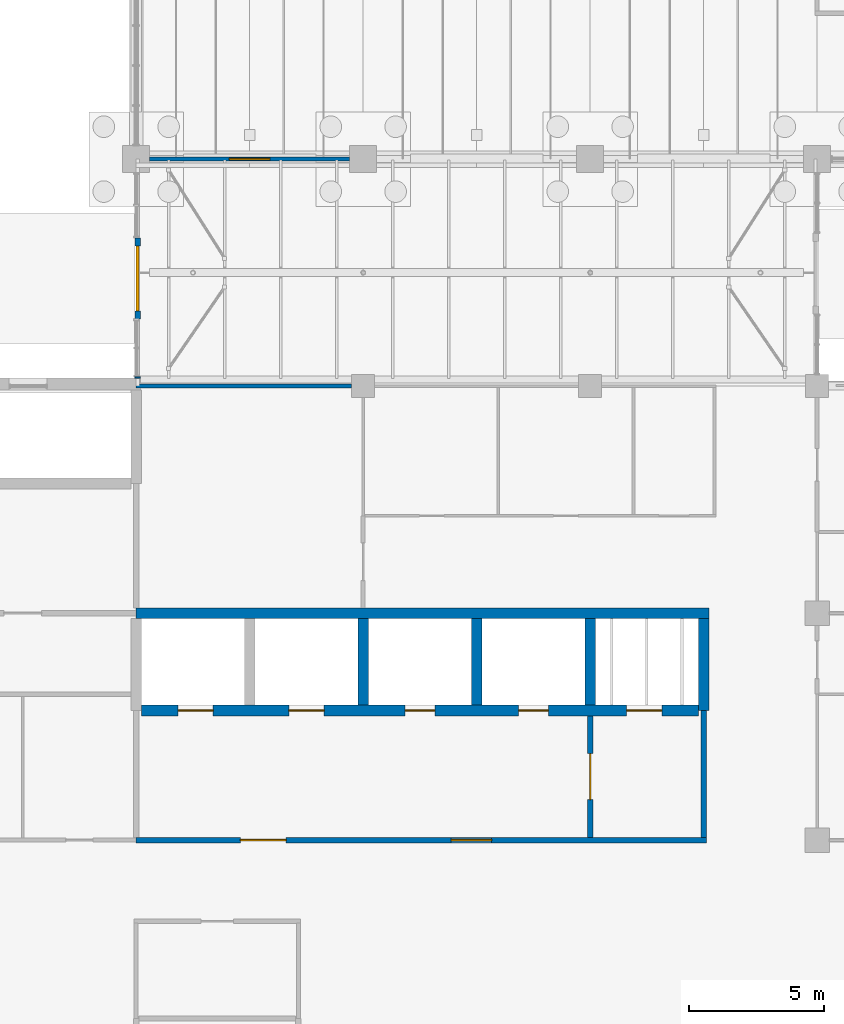
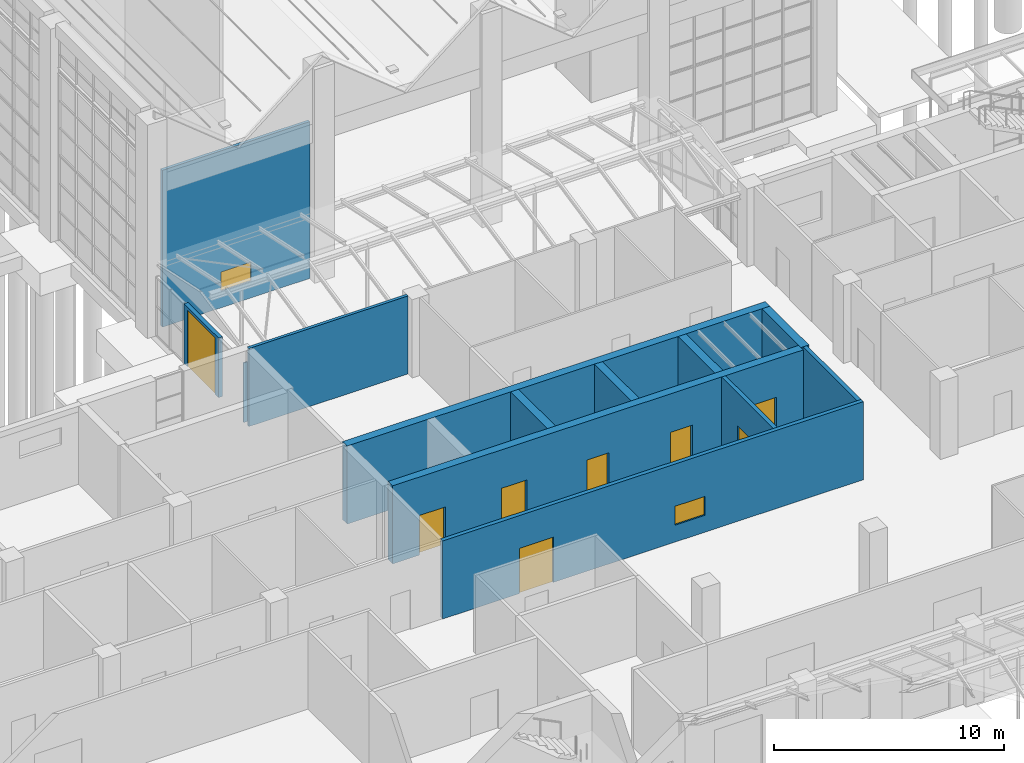
# One storey, part 100 of 138: 13 walls, 8 doors, 2 windows, 10 openings.
"""IFC4 building model written with IfcOpenShell, lengths in metres."""

from ifc_helpers import new_model, si_unit, direction, frame, frame_2d, origin, place, context, subcontext, project, spatial, rectangle, extrude, material, layer, layer_set, type_object, element, fill, save


model = new_model("IFC4")

# Units and contexts
model_context = context("Model", 3, precision=1e-05, world=origin(), true_north=direction((0.0, 1.0)))
body_context = subcontext(model_context, "Body", "Model", "MODEL_VIEW")
ifc_project = project(units=[si_unit("LENGTHUNIT", "METRE"), si_unit("AREAUNIT", "SQUARE_METRE"), si_unit("VOLUMEUNIT", "CUBIC_METRE"), si_unit("PLANEANGLEUNIT", "RADIAN"), si_unit("MASSUNIT", "GRAM", prefix="KILO")], contexts=[model_context])

# Site, building, storey
site_placement = place(None, origin())
site = spatial("IfcSite", under=ifc_project, at=site_placement, CompositionType="ELEMENT")
building_placement = place(site_placement, origin())
building = spatial("IfcBuilding", under=site, at=building_placement, Name="Yavir Park General Hospital", CompositionType="ELEMENT")
storey_placement = place(building_placement, origin())
storey = spatial("IfcBuildingStorey", under=building, at=storey_placement, Name="L00", CompositionType="ELEMENT", Elevation=0.0)

# Wall, openings, door, window
ifc_material_1 = material(Name="Double gypsum board fire partition on steel studs", Category="steel")
ifc_layer_1 = layer(ifc_material_1, 0.199951171875)
ifc_layer_set_1 = layer_set([ifc_layer_1], Name="Double gypsum board fire partition on steel studs")
wall_type_1 = type_object("IfcWallType", Name="Fire-rated partition 200, EI 60", PredefinedType="PARTITIONING", material=ifc_layer_set_1)
wall_1_placement = place(storey_placement, frame((75.60009765625, 16.800048828125, 0.0), z_axis=(0.0, 0.0, 1.0), x_axis=(1.0, 0.0, 0.0)))
wall_1 = element("IfcWall", 1, at=wall_1_placement, inside=storey, type_object=wall_type_1, Name="FP20 L00-041", PredefinedType="PARTITIONING", context=body_context, shape_type="SweptSolid", body=[
    extrude(rectangle(XDim=21.099853515625, YDim=0.199951171875, at=frame_2d((10.5498046875, 0.0))), origin(), (0.0, 0.0, 1.0), 4.139892578125),
])
opening_1_placement = place(wall_1_placement, frame((3.85009765625, 0.0, 0.0)))
opening_1 = element("IfcOpeningElement", 2, at=opening_1_placement, cuts=wall_1, Name="Opening L00.D037", PredefinedType="OPENING", context=body_context, shape_type="SweptSolid", body=[
    extrude(rectangle(XDim=1.699951171875, YDim=2.39990234375, at=frame_2d((0.85009765625, 1.199951171875))), frame((0.0, 0.10986328125, 0.0), z_axis=(0.0, -1.0, 0.0), x_axis=(1.0, 0.0, 0.0)), (0.0, 0.0, 1.0), 0.219970703125),
])
opening_2_placement = place(wall_1_placement, frame((11.64990234375, 0.0, 0.89990234375)))
opening_2 = element("IfcOpeningElement", 3, at=opening_2_placement, cuts=wall_1, Name="Opening L00.901", PredefinedType="OPENING", context=body_context, shape_type="SweptSolid", body=[
    extrude(rectangle(XDim=1.5, YDim=1.0, at=frame_2d((0.75, 0.5))), frame((0.0, 0.10986328125, 0.0), z_axis=(0.0, -1.0, 0.0), x_axis=(1.0, 0.0, 0.0)), (0.0, 0.0, 1.0), 0.219970703125),
])
ifc_material_2 = material(Name="Steel frame, fire-resisting timber leaves", Category="steel")
door_type_1 = type_object("IfcDoorType", Name="Double fire door 1700 x 2400, EI 60", OperationType="DOUBLE_DOOR_SINGLE_SWING", PredefinedType="DOOR", material=ifc_material_2)
door_1_placement = place(opening_1_placement, origin())
door_1 = element("IfcDoor", 4, at=door_1_placement, inside=storey, type_object=door_type_1, Name="L00.D037", OperationType="SINGLE_SWING_RIGHT", OverallHeight=2.39990234375, OverallWidth=1.699951171875, PredefinedType="DOOR", context=body_context, shape_type="SweptSolid", body=[
    extrude(rectangle(XDim=1.699951171875, YDim=2.39990234375, at=frame_2d((0.85009765625, 1.199951171875))), frame((0.0, 0.02490234375, 0.0), z_axis=(0.0, -1.0, 0.0), x_axis=(1.0, 0.0, 0.0)), (0.0, 0.0, 1.0), 0.050048828125),
])
fill(opening_1, door_1)
ifc_material_3 = material(Name="Toughened glass sliding panels, aluminium frame", Category="aluminium")
window_type = type_object("IfcWindowType", Name="Reception counter window 1500 x 1000", PartitioningType="DOUBLE_PANEL_HORIZONTAL", PredefinedType="WINDOW", material=ifc_material_3)
window_1_placement = place(opening_2_placement, origin())
window_1 = element("IfcWindow", 5, at=window_1_placement, inside=storey, type_object=window_type, Name="L00.901", OverallHeight=1.0, OverallWidth=1.5, PartitioningType="DOUBLE_PANEL_HORIZONTAL", PredefinedType="WINDOW", context=body_context, shape_type="SweptSolid", body=[
    extrude(rectangle(XDim=1.5, YDim=1.0, at=frame_2d((0.75, 0.5))), frame((0.0, 0.02490234375, 0.0), z_axis=(0.0, -1.0, 0.0), x_axis=(1.0, 0.0, 0.0)), (0.0, 0.0, 1.0), 0.050048828125),
])
fill(opening_2, window_1)

# Wall, opening, door
wall_2_placement = place(storey_placement, frame((92.39990234375, 16.89990234375, 0.0), z_axis=(0.0, 0.0, 1.0), x_axis=(0.0, 1.0, 0.0)))
wall_2 = element("IfcWall", 6, at=wall_2_placement, inside=storey, type_object=wall_type_1, Name="FP20 L00-410", PredefinedType="PARTITIONING", context=body_context, shape_type="SweptSolid", body=[
    extrude(rectangle(XDim=4.5, YDim=0.199951171875, at=frame_2d((2.25, 0.0))), origin(), (0.0, 0.0, 1.0), 4.139892578125),
])
opening_3_placement = place(wall_2_placement, frame((1.39990234375, 0.0, 0.0)))
opening_3 = element("IfcOpeningElement", 7, at=opening_3_placement, cuts=wall_2, Name="Opening L00.D203", PredefinedType="OPENING", context=body_context, shape_type="SweptSolid", body=[
    extrude(rectangle(XDim=1.699951171875, YDim=2.39990234375, at=frame_2d((0.85009765625, 1.199951171875))), frame((0.0, 0.10986328125, 0.0), z_axis=(0.0, -1.0, 0.0), x_axis=(1.0, 0.0, 0.0)), (0.0, 0.0, 1.0), 0.219970703125),
])
door_2_placement = place(opening_3_placement, origin())
door_2 = element("IfcDoor", 8, at=door_2_placement, inside=storey, type_object=door_type_1, Name="L00.D203", OperationType="SINGLE_SWING_LEFT", OverallHeight=2.39990234375, OverallWidth=1.699951171875, PredefinedType="DOOR", context=body_context, shape_type="SweptSolid", body=[
    extrude(rectangle(XDim=1.699951171875, YDim=2.39990234375, at=frame_2d((0.85009765625, 1.199951171875))), frame((0.0, 0.02490234375, 0.0), z_axis=(0.0, -1.0, 0.0), x_axis=(1.0, 0.0, 0.0)), (0.0, 0.0, 1.0), 0.050048828125),
])
fill(opening_3, door_2)

# Walls
wall_3_placement = place(storey_placement, frame((96.60009765625, 16.89990234375, 0.0), z_axis=(0.0, 0.0, 1.0), x_axis=(0.0, 1.0, 0.0)))
element("IfcWall", 9, at=wall_3_placement, inside=storey, type_object=wall_type_1, Name="FP20 L00-413", PredefinedType="PARTITIONING", context=body_context, shape_type="SweptSolid", body=[
    extrude(rectangle(XDim=4.7001953125, YDim=0.199951171875, at=frame_2d((2.35009765625, 0.0))), origin(), (0.0, 0.0, 1.0), 4.139892578125),
])
ifc_material_4 = material(Name="Aluminium glazing frame wall with insulated infill", Category="aluminium")
ifc_layer_2 = layer(ifc_material_4, 0.199951171875)
ifc_layer_set_2 = layer_set([ifc_layer_2], Name="Aluminium glazing frame wall with insulated infill")
wall_type_2 = type_object("IfcWallType", Name="Glazing frame wall 200, E 30", PredefinedType="SOLIDWALL", material=ifc_layer_set_2)
wall_4_placement = place(storey_placement, frame((75.64990234375, 33.89990234375, 0.0), z_axis=(0.0, 0.0, 1.0), x_axis=(0.0, 1.0, 0.0)))
element("IfcWall", 10, at=wall_4_placement, inside=storey, type_object=wall_type_2, Name="XW9 L00-151", PredefinedType="SOLIDWALL", context=body_context, shape_type="SweptSolid", body=[
    extrude(rectangle(XDim=0.050048828125, YDim=0.199951171875, at=frame_2d((0.02490234375, 0.0))), origin(), (0.0, 0.0, 1.0), 3.1640625),
])

# Wall, opening, door
wall_5_placement = place(storey_placement, frame((75.64990234375, 36.08740234375, 0.0), z_axis=(0.0, 0.0, 1.0), x_axis=(0.0, 1.0, 0.0)))
wall_5 = element("IfcWall", 11, at=wall_5_placement, inside=storey, type_object=wall_type_2, Name="XW9 L00-152", PredefinedType="SOLIDWALL", context=body_context, shape_type="SweptSolid", body=[
    extrude(rectangle(XDim=3.0, YDim=0.199951171875, at=frame_2d((1.5, 0.0))), origin(), (0.0, 0.0, 1.0), 3.1640625),
])
opening_4_placement = place(wall_5_placement, frame((0.300048828125, 0.0, 0.0)))
opening_4 = element("IfcOpeningElement", 12, at=opening_4_placement, cuts=wall_5, Name="Opening L00.X29", PredefinedType="OPENING", context=body_context, shape_type="SweptSolid", body=[
    extrude(rectangle(XDim=2.39990234375, YDim=3.0, at=frame_2d((1.199951171875, 1.5))), frame((0.0, 0.10986328125, 0.0), z_axis=(0.0, -1.0, 0.0), x_axis=(1.0, 0.0, 0.0)), (0.0, 0.0, 1.0), 0.219970703125),
])
ifc_material_5 = material(Name="Aluminium frame, toughened glass leaves", Category="aluminium")
door_type_2 = type_object("IfcDoorType", Name="Automatic entrance sliding door 2400 x 3000", OperationType="DOUBLE_DOOR_SLIDING", PredefinedType="DOOR", material=ifc_material_5)
door_3_placement = place(opening_4_placement, origin())
door_3 = element("IfcDoor", 13, at=door_3_placement, inside=storey, type_object=door_type_2, Name="L00.X29", OperationType="DOUBLE_DOOR_SLIDING", OverallHeight=3.0, OverallWidth=2.39990234375, PredefinedType="DOOR", context=body_context, shape_type="SweptSolid", body=[
    extrude(rectangle(XDim=2.39990234375, YDim=3.0, at=frame_2d((1.199951171875, 1.5))), frame((0.0, 0.06005859375, 0.0), z_axis=(0.0, -1.0, 0.0), x_axis=(1.0, 0.0, 0.0)), (0.0, 0.0, 1.0), 0.1201171875),
])
fill(opening_4, door_3)

# Wall
ifc_material_6 = material(Name="Gypsum board partition on steel studs", Category="steel")
ifc_layer_3 = layer(ifc_material_6, 0.14990234375)
ifc_layer_set_3 = layer_set([ifc_layer_3], Name="Gypsum board partition on steel studs")
wall_type_3 = type_object("IfcWallType", Name="Gypsum board partition 150", PredefinedType="PARTITIONING", material=ifc_layer_set_3)
wall_6_placement = place(storey_placement, frame((75.60009765625, 33.60009765625, 0.0), z_axis=(0.0, 0.0, 1.0), x_axis=(1.0, 0.0, 0.0)))
element("IfcWall", 14, at=wall_6_placement, inside=storey, type_object=wall_type_3, Name="P15 L00-089", PredefinedType="PARTITIONING", context=body_context, shape_type="SweptSolid", body=[
    extrude(rectangle(XDim=7.974853515625, YDim=0.14990234375, at=frame_2d((3.9873046875, 0.0))), origin(), (0.0, 0.0, 1.0), 4.139892578125),
])

# Wall, opening, window
wall_7_placement = place(storey_placement, frame((76.10009765625, 42.0, 0.0), z_axis=(0.0, 0.0, 1.0), x_axis=(1.0, 0.0, 0.0)))
wall_7 = element("IfcWall", 15, at=wall_7_placement, inside=storey, type_object=wall_type_3, Name="P15 L00-110", PredefinedType="PARTITIONING", context=body_context, shape_type="SweptSolid", body=[
    extrude(rectangle(XDim=7.39990234375, YDim=0.14990234375, at=frame_2d((3.699951171875, 0.0))), origin(), (0.0, 0.0, 1.0), 8.31689453125),
])
opening_5_placement = place(wall_7_placement, frame((2.949951171875, 0.0, 0.89990234375)))
opening_5 = element("IfcOpeningElement", 16, at=opening_5_placement, cuts=wall_7, Name="Opening L00.904", PredefinedType="OPENING", context=body_context, shape_type="SweptSolid", body=[
    extrude(rectangle(XDim=1.5, YDim=1.0, at=frame_2d((0.75, 0.5))), frame((0.0, 0.0849609375, 0.0), z_axis=(0.0, -1.0, 0.0), x_axis=(1.0, 0.0, 0.0)), (0.0, 0.0, 1.0), 0.169921875),
])
window_2_placement = place(opening_5_placement, origin())
window_2 = element("IfcWindow", 17, at=window_2_placement, inside=storey, type_object=window_type, Name="L00.904", OverallHeight=1.0, OverallWidth=1.5, PartitioningType="DOUBLE_PANEL_HORIZONTAL", PredefinedType="WINDOW", context=body_context, shape_type="SweptSolid", body=[
    extrude(rectangle(XDim=1.5, YDim=1.0, at=frame_2d((0.75, 0.5))), frame((0.0, 0.02490234375, 0.0), z_axis=(0.0, -1.0, 0.0), x_axis=(1.0, 0.0, 0.0)), (0.0, 0.0, 1.0), 0.050048828125),
])
fill(opening_5, window_2)

# Wall, openings, doors
ifc_material_7 = material(Name="Concrete C35/45", Category="concrete")
ifc_layer_4 = layer(ifc_material_7, 0.39990234375)
ifc_layer_set_4 = layer_set([ifc_layer_4], Name="Concrete C35/45")
wall_type_4 = type_object("IfcWallType", Name="Reinforced concrete core wall 400, REI 150", PredefinedType="SHEAR", material=ifc_layer_set_4)
wall_8_placement = place(storey_placement, frame((75.800048828125, 21.60009765625, 0.0), z_axis=(0.0, 0.0, 1.0), x_axis=(1.0, 0.0, 0.0)))
wall_8 = element("IfcWall", 18, at=wall_8_placement, inside=storey, type_object=wall_type_4, Name="CW40 L00-050", PredefinedType="SHEAR", context=body_context, shape_type="SweptSolid", body=[
    extrude(rectangle(XDim=20.599853515625, YDim=0.39990234375, at=frame_2d((10.2998046875, 0.0))), origin(), (0.0, 0.0, 1.0), 4.139892578125),
])
opening_6_placement = place(wall_8_placement, frame((1.35009765625, 0.0, 0.0)))
opening_6 = element("IfcOpeningElement", 19, at=opening_6_placement, cuts=wall_8, Name="Opening L00.D047", PredefinedType="OPENING", context=body_context, shape_type="SweptSolid", body=[
    extrude(rectangle(XDim=1.300048828125, YDim=2.10009765625, at=frame_2d((0.64990234375, 1.050048828125))), frame((0.0, 0.2099609375, 0.0), z_axis=(0.0, -1.0, 0.0), x_axis=(1.0, 0.0, 0.0)), (0.0, 0.0, 1.0), 0.419921875),
])
opening_7_placement = place(wall_8_placement, frame((5.449951171875, 0.0, 0.0)))
opening_7 = element("IfcOpeningElement", 20, at=opening_7_placement, cuts=wall_8, Name="Opening L00.D048", PredefinedType="OPENING", context=body_context, shape_type="SweptSolid", body=[
    extrude(rectangle(XDim=1.300048828125, YDim=2.10009765625, at=frame_2d((0.64990234375, 1.050048828125))), frame((0.0, 0.2099609375, 0.0), z_axis=(0.0, -1.0, 0.0), x_axis=(1.0, 0.0, 0.0)), (0.0, 0.0, 1.0), 0.419921875),
])
opening_8_placement = place(wall_8_placement, frame((9.75, 0.0, 0.0)))
opening_8 = element("IfcOpeningElement", 21, at=opening_8_placement, cuts=wall_8, Name="Opening L00.D049", PredefinedType="OPENING", context=body_context, shape_type="SweptSolid", body=[
    extrude(rectangle(XDim=1.10009765625, YDim=2.10009765625, at=frame_2d((0.550048828125, 1.050048828125))), frame((0.0, 0.2099609375, 0.0), z_axis=(0.0, -1.0, 0.0), x_axis=(1.0, 0.0, 0.0)), (0.0, 0.0, 1.0), 0.419921875),
])
opening_9_placement = place(wall_8_placement, frame((13.949951171875, 0.0, 0.0)))
opening_9 = element("IfcOpeningElement", 22, at=opening_9_placement, cuts=wall_8, Name="Opening L00.D050", PredefinedType="OPENING", context=body_context, shape_type="SweptSolid", body=[
    extrude(rectangle(XDim=1.10009765625, YDim=2.10009765625, at=frame_2d((0.550048828125, 1.050048828125))), frame((0.0, 0.2099609375, 0.0), z_axis=(0.0, -1.0, 0.0), x_axis=(1.0, 0.0, 0.0)), (0.0, 0.0, 1.0), 0.419921875),
])
opening_10_placement = place(wall_8_placement, frame((17.949951171875, 0.0, 0.0)))
opening_10 = element("IfcOpeningElement", 23, at=opening_10_placement, cuts=wall_8, Name="Opening L00.D051", PredefinedType="OPENING", context=body_context, shape_type="SweptSolid", body=[
    extrude(rectangle(XDim=1.300048828125, YDim=2.10009765625, at=frame_2d((0.64990234375, 1.050048828125))), frame((0.0, 0.2099609375, 0.0), z_axis=(0.0, -1.0, 0.0), x_axis=(1.0, 0.0, 0.0)), (0.0, 0.0, 1.0), 0.419921875),
])
ifc_material_8 = material(Name="Stainless steel landing door panels", Category="steel")
door_type_3 = type_object("IfcDoorType", Name="Lift landing door 1100 x 2100, EI 60", OperationType="SLIDING_TO_LEFT", PredefinedType="DOOR", material=ifc_material_8)
door_4_placement = place(opening_8_placement, origin())
door_4 = element("IfcDoor", 24, at=door_4_placement, inside=storey, type_object=door_type_3, Name="L00.D049", OperationType="SLIDING_TO_LEFT", OverallHeight=2.10009765625, OverallWidth=1.10009765625, PredefinedType="DOOR", context=body_context, shape_type="SweptSolid", body=[
    extrude(rectangle(XDim=1.10009765625, YDim=2.10009765625, at=frame_2d((0.550048828125, 1.050048828125))), frame((0.0, 0.02490234375, 0.0), z_axis=(0.0, -1.0, 0.0), x_axis=(1.0, 0.0, 0.0)), (0.0, 0.0, 1.0), 0.050048828125),
])
fill(opening_8, door_4)
door_5_placement = place(opening_9_placement, origin())
door_5 = element("IfcDoor", 25, at=door_5_placement, inside=storey, type_object=door_type_3, Name="L00.D050", OperationType="SLIDING_TO_LEFT", OverallHeight=2.10009765625, OverallWidth=1.10009765625, PredefinedType="DOOR", context=body_context, shape_type="SweptSolid", body=[
    extrude(rectangle(XDim=1.10009765625, YDim=2.10009765625, at=frame_2d((0.550048828125, 1.050048828125))), frame((0.0, 0.02490234375, 0.0), z_axis=(0.0, -1.0, 0.0), x_axis=(1.0, 0.0, 0.0)), (0.0, 0.0, 1.0), 0.050048828125),
])
fill(opening_9, door_5)
ifc_material_9 = material(Name="Stainless steel landing door panels", Category="steel")
door_type_4 = type_object("IfcDoorType", Name="Lift landing door 1300 x 2100, EI 60", OperationType="SLIDING_TO_LEFT", PredefinedType="DOOR", material=ifc_material_9)
door_6_placement = place(opening_6_placement, origin())
door_6 = element("IfcDoor", 26, at=door_6_placement, inside=storey, type_object=door_type_4, Name="L00.D047", OperationType="SLIDING_TO_LEFT", OverallHeight=2.10009765625, OverallWidth=1.300048828125, PredefinedType="DOOR", context=body_context, shape_type="SweptSolid", body=[
    extrude(rectangle(XDim=1.300048828125, YDim=2.10009765625, at=frame_2d((0.64990234375, 1.050048828125))), frame((0.0, 0.02490234375, 0.0), z_axis=(0.0, -1.0, 0.0), x_axis=(1.0, 0.0, 0.0)), (0.0, 0.0, 1.0), 0.050048828125),
])
fill(opening_6, door_6)
door_7_placement = place(opening_7_placement, origin())
door_7 = element("IfcDoor", 27, at=door_7_placement, inside=storey, type_object=door_type_4, Name="L00.D048", OperationType="SLIDING_TO_LEFT", OverallHeight=2.10009765625, OverallWidth=1.300048828125, PredefinedType="DOOR", context=body_context, shape_type="SweptSolid", body=[
    extrude(rectangle(XDim=1.300048828125, YDim=2.10009765625, at=frame_2d((0.64990234375, 1.050048828125))), frame((0.0, 0.02490234375, 0.0), z_axis=(0.0, -1.0, 0.0), x_axis=(1.0, 0.0, 0.0)), (0.0, 0.0, 1.0), 0.050048828125),
])
fill(opening_7, door_7)
door_8_placement = place(opening_10_placement, origin())
door_8 = element("IfcDoor", 28, at=door_8_placement, inside=storey, type_object=door_type_4, Name="L00.D051", OperationType="SLIDING_TO_LEFT", OverallHeight=2.10009765625, OverallWidth=1.300048828125, PredefinedType="DOOR", context=body_context, shape_type="SweptSolid", body=[
    extrude(rectangle(XDim=1.300048828125, YDim=2.10009765625, at=frame_2d((0.64990234375, 1.050048828125))), frame((0.0, 0.02490234375, 0.0), z_axis=(0.0, -1.0, 0.0), x_axis=(1.0, 0.0, 0.0)), (0.0, 0.0, 1.0), 0.050048828125),
])
fill(opening_10, door_8)

# Walls
wall_9_placement = place(storey_placement, frame((75.60009765625, 25.199951171875, 0.0), z_axis=(0.0, 0.0, 1.0), x_axis=(1.0, 0.0, 0.0)))
element("IfcWall", 29, at=wall_9_placement, inside=storey, type_object=wall_type_4, Name="CW40 L00-067", PredefinedType="SHEAR", context=body_context, shape_type="SweptSolid", body=[
    extrude(rectangle(XDim=21.199951171875, YDim=0.39990234375, at=frame_2d((10.60009765625, 0.0))), origin(), (0.0, 0.0, 1.0), 4.139892578125),
])
for number, where, z_axis, x_axis, name in (
    (30, (84.0, 21.800048828125, 0.0), (0.0, 0.0, 1.0), (0.0, 1.0, 0.0), "CW40 L00-404"),
    (31, (88.199951171875, 21.800048828125, 0.0), (0.0, 0.0, 1.0), (0.0, 1.0, 0.0), "CW40 L00-408"),
    (32, (92.39990234375, 21.800048828125, 0.0), (0.0, 0.0, 1.0), (0.0, 1.0, 0.0), "CW40 L00-411"),
):
    element("IfcWall", number, at=place(storey_placement, frame(where, z_axis=z_axis, x_axis=x_axis)), inside=storey, type_object=wall_type_4, Name=name, PredefinedType="SHEAR", context=body_context, shape_type="SweptSolid", body=[
        extrude(rectangle(XDim=3.199951171875, YDim=0.39990234375, at=frame_2d((1.60009765625, 0.0))), origin(), (0.0, 0.0, 1.0), 4.139892578125),
    ])
wall_10_placement = place(storey_placement, frame((96.60009765625, 21.60009765625, 0.0), z_axis=(0.0, 0.0, 1.0), x_axis=(0.0, 1.0, 0.0)))
element("IfcWall", 33, at=wall_10_placement, inside=storey, type_object=wall_type_4, Name="CW40 L00-414", PredefinedType="SHEAR", context=body_context, shape_type="SweptSolid", body=[
    extrude(rectangle(XDim=3.39990234375, YDim=0.39990234375, at=frame_2d((1.699951171875, 0.0))), origin(), (0.0, 0.0, 1.0), 4.139892578125),
])

save(model, "model.ifc")
